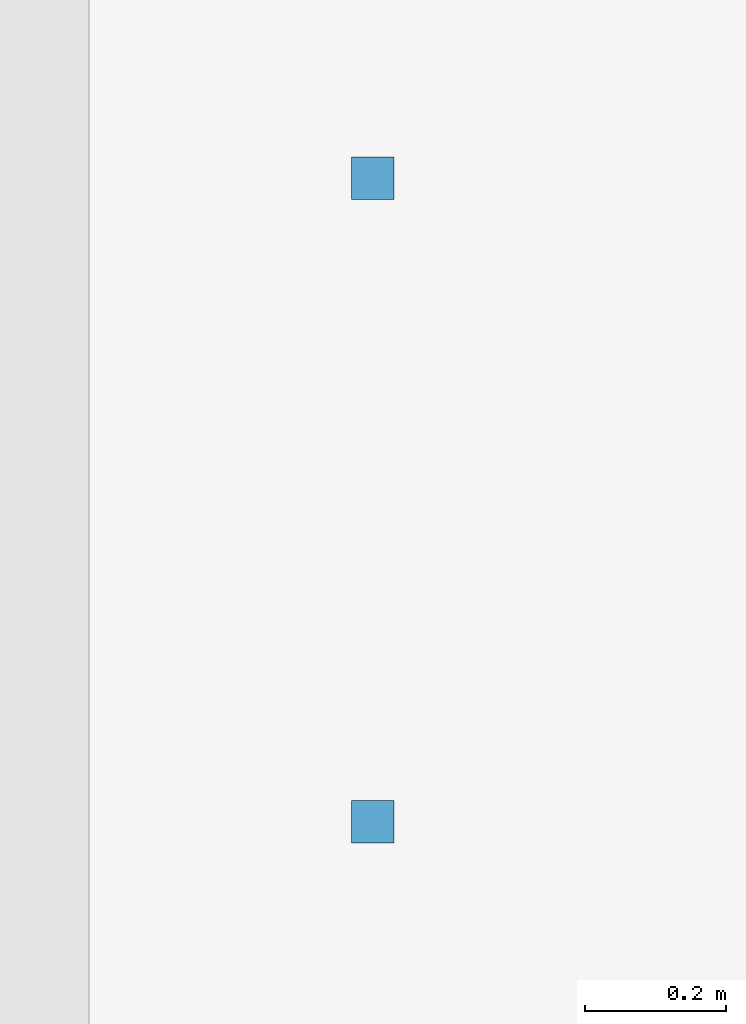
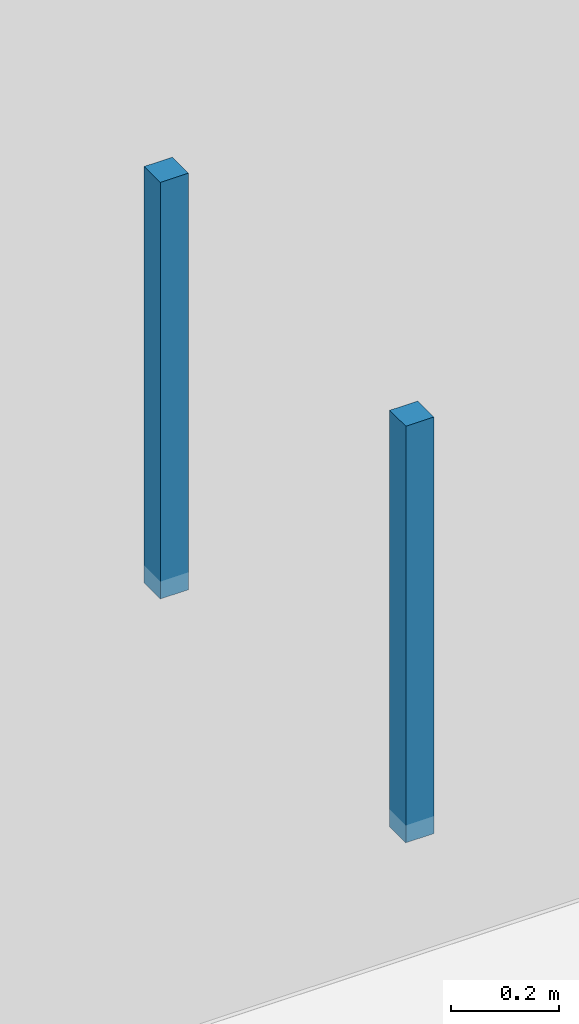
# One storey, part 28 of 59: 2 discrete accessories.
"""IFC4 building model written with IfcOpenShell, lengths in metres."""

from ifc_helpers import new_model, si_unit, direction, frame, origin, origin_2d, place, context, subcontext, project, spatial, rectangle, extrude, material, type_object, element, save


model = new_model("IFC4")

# Units and contexts
model_context = context("Model", 3, precision=1e-05, world=origin(), true_north=direction((0.0, 1.0)))
body_context = subcontext(model_context, "Body", "Model", "MODEL_VIEW")
ifc_project = project(units=[si_unit("LENGTHUNIT", "METRE"), si_unit("AREAUNIT", "SQUARE_METRE"), si_unit("VOLUMEUNIT", "CUBIC_METRE"), si_unit("PLANEANGLEUNIT", "RADIAN"), si_unit("MASSUNIT", "GRAM", prefix="KILO")], contexts=[model_context])

# Site, building, storey
site_placement = place(None, origin())
site = spatial("IfcSite", under=ifc_project, at=site_placement, CompositionType="ELEMENT")
building_placement = place(site_placement, origin())
building = spatial("IfcBuilding", under=site, at=building_placement, Name="Telukmera Botanical Conservatory", CompositionType="ELEMENT")
storey_placement = place(building_placement, frame((0.0, 0.0, 15.0)))
storey = spatial("IfcBuildingStorey", under=building, at=storey_placement, Name="L03", CompositionType="ELEMENT", Elevation=15.0)

# Discrete accessories
ifc_material = material(Name="Steel S355", Category="steel")
discrete_accessory_type = type_object("IfcDiscreteAccessoryType", Name="ACC-CEIL-HGR", PredefinedType="BRACKET", material=ifc_material)
for number, where, z_axis, x_axis, name in (
    (1, (67.85205078125, 38.862548828125, 3.31005859375), (0.0, 0.0, 1.0), (1.0, 0.0, 0.0), "L03 Suspended Ceiling Hanger Rod 044-1"),
    (2, (67.85205078125, 39.77490234375, 3.31005859375), (0.0, 0.0, 1.0), (1.0, 0.0, 0.0), "L03 Suspended Ceiling Hanger Rod 044-2"),
):
    element("IfcDiscreteAccessory", number, at=place(storey_placement, frame(where, z_axis=z_axis, x_axis=x_axis)), inside=storey, type_object=discrete_accessory_type, Name=name, PredefinedType="BRACKET", context=body_context, shape_type="SweptSolid", body=[
        extrude(rectangle(XDim=0.06005859375, YDim=0.06005859375, at=origin_2d()), origin(), (0.0, 0.0, 1.0), 0.945068359375),
    ])

save(model, "model.ifc")
